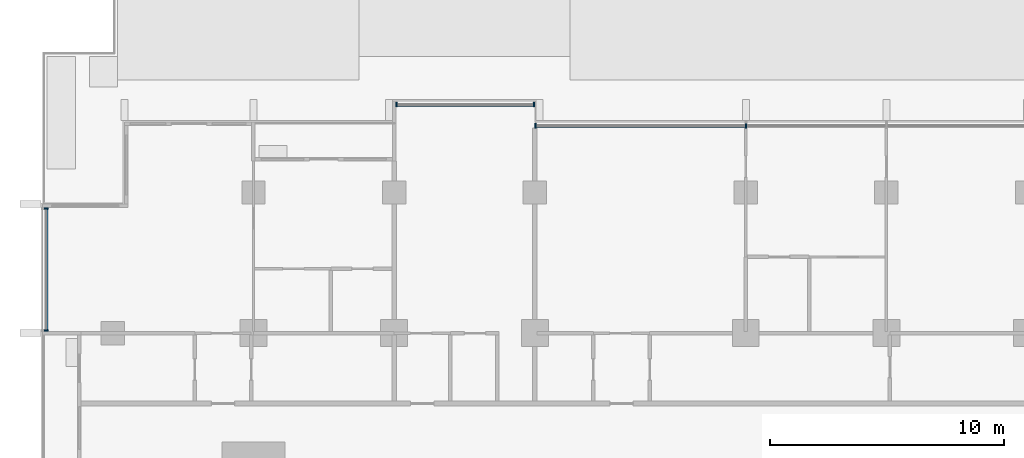
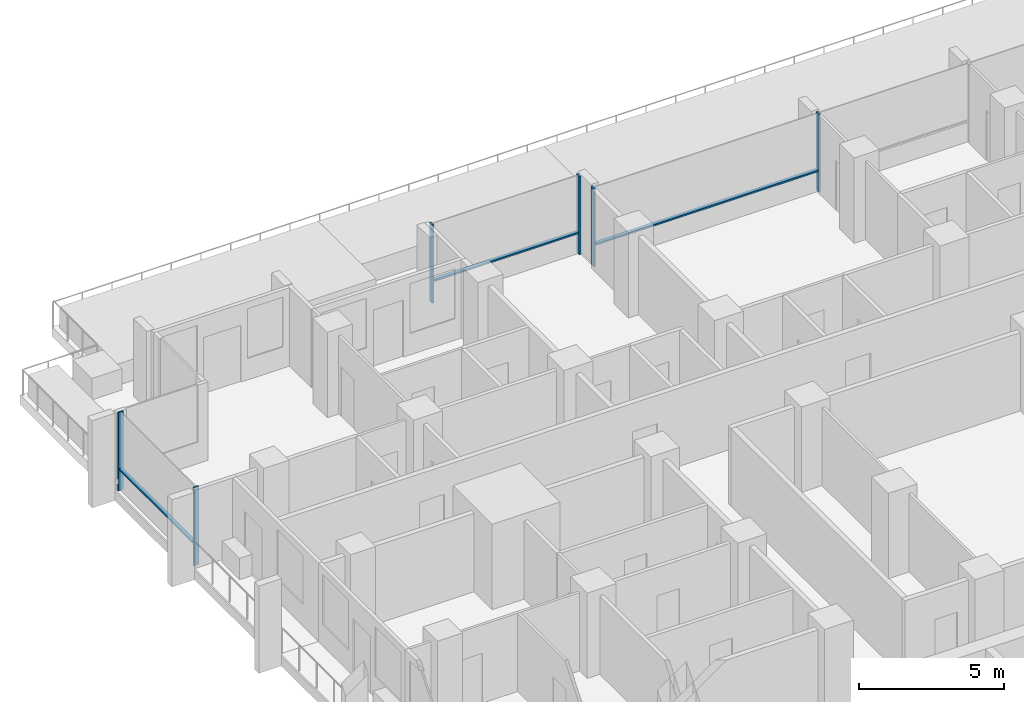
# One storey, part 4 of 19: 9 members, 3 elements without a shape of their own.
"""IFC4 building model written with IfcOpenShell, lengths in metres."""

from ifc_helpers import new_model, si_unit, direction, frame, origin, origin_2d, place, context, subcontext, project, spatial, rectangle, extrude, material, material_profile, profile_set, type_object, element, aggregate, save


model = new_model("IFC4")

# Units and contexts
model_context = context("Model", 3, precision=1e-05, world=origin(), true_north=direction((0.0, 1.0)))
body_context = subcontext(model_context, "Body", "Model", "MODEL_VIEW")
ifc_project = project(units=[si_unit("LENGTHUNIT", "METRE"), si_unit("AREAUNIT", "SQUARE_METRE"), si_unit("VOLUMEUNIT", "CUBIC_METRE"), si_unit("PLANEANGLEUNIT", "RADIAN"), si_unit("MASSUNIT", "GRAM", prefix="KILO")], contexts=[model_context])

# Site, building, storey
site_placement = place(None, origin())
site = spatial("IfcSite", under=ifc_project, at=site_placement, CompositionType="ELEMENT")
building_placement = place(site_placement, origin())
building = spatial("IfcBuilding", under=site, at=building_placement, Name="Finial Court Residences", CompositionType="ELEMENT")
storey_placement = place(building_placement, frame((0.0, 0.0, 81.10009765625)))
storey = spatial("IfcBuildingStorey", under=building, at=storey_placement, Name="L19", CompositionType="ELEMENT", Elevation=81.10009765625)

# Curtain wall, members
ifc_material = material(Name="Bronze anodised aluminium", Category="aluminium")
curtain_wall_type = type_object("IfcCurtainWallType", Name="Unitised curtain wall, lower and middle zones", PredefinedType="NOTDEFINED", material=ifc_material)
curtain_wall_1_placement = place(storey_placement, origin())
curtain_wall_1 = element("IfcCurtainWall", 1, at=curtain_wall_1_placement, inside=storey, type_object=curtain_wall_type, Name="E-L19-CW-N1", PredefinedType="NOTDEFINED")
ifc_material_profile_1 = material_profile(ifc_material, rectangle(XDim=0.199951171875, YDim=0.06494140625, at=origin_2d()), Name="CW1 mullion 65 x 200")
ifc_profile_set_1 = profile_set([ifc_material_profile_1], Name="Bronze anodised aluminium")
member_type_1 = type_object("IfcMemberType", Name="CW1 mullion 65 x 200", PredefinedType="MULLION", material=ifc_profile_set_1)
member_1_placement = place(storey_placement, frame((-10.392578125, 23.25, 0.0), z_axis=(0.0, 0.0, 1.0), x_axis=(0.0, 1.0, 0.0)))
member_1 = element("IfcMember", 2, at=member_1_placement, type_object=member_type_1, Name="CW1 mullion 1", PredefinedType="MULLION", context=body_context, shape_type="SweptSolid", body=[
    extrude(rectangle(XDim=0.199951171875, YDim=0.06494140625, at=origin_2d()), origin(), (0.0, 0.0, 1.0), 3.2998046875),
])
member_2_placement = place(storey_placement, frame((-4.532470703125, 23.25, 0.0), z_axis=(0.0, 0.0, 1.0), x_axis=(0.0, 1.0, 0.0)))
member_2 = element("IfcMember", 3, at=member_2_placement, type_object=member_type_1, Name="CW1 mullion 2", PredefinedType="MULLION", context=body_context, shape_type="SweptSolid", body=[
    extrude(rectangle(XDim=0.199951171875, YDim=0.06494140625, at=origin_2d()), origin(), (0.0, 0.0, 1.0), 3.2998046875),
])

curtain_wall_2_placement = place(storey_placement, origin())
curtain_wall_2 = element("IfcCurtainWall", 4, at=curtain_wall_2_placement, inside=storey, type_object=curtain_wall_type, Name="E-L19-CW-N2", PredefinedType="NOTDEFINED")
member_3_placement = place(storey_placement, frame((-4.467529296875, 22.35009765625, 0.0), z_axis=(0.0, 0.0, 1.0), x_axis=(0.0, 1.0, 0.0)))
member_3 = element("IfcMember", 5, at=member_3_placement, type_object=member_type_1, Name="CW1 mullion 1", PredefinedType="MULLION", context=body_context, shape_type="SweptSolid", body=[
    extrude(rectangle(XDim=0.199951171875, YDim=0.06494140625, at=origin_2d()), origin(), (0.0, 0.0, 1.0), 3.2998046875),
])
member_4_placement = place(storey_placement, frame((4.5, 22.35009765625, 0.0), z_axis=(0.0, 0.0, 1.0), x_axis=(0.0, 1.0, 0.0)))
member_4 = element("IfcMember", 6, at=member_4_placement, type_object=member_type_1, Name="CW1 mullion 2", PredefinedType="MULLION", context=body_context, shape_type="SweptSolid", body=[
    extrude(rectangle(XDim=0.199951171875, YDim=0.06494140625, at=origin_2d()), origin(), (0.0, 0.0, 1.0), 3.2998046875),
])

curtain_wall_3_placement = place(storey_placement, origin())
curtain_wall_3 = element("IfcCurtainWall", 7, at=curtain_wall_3_placement, inside=storey, type_object=curtain_wall_type, Name="E-L19-CW-W10", PredefinedType="NOTDEFINED")
member_5_placement = place(storey_placement, frame((-25.35009765625, 13.607421875, 0.0), z_axis=(0.0, 0.0, 1.0), x_axis=(-1.0, 0.0, 0.0)))
member_5 = element("IfcMember", 8, at=member_5_placement, type_object=member_type_1, Name="CW1 mullion 1", PredefinedType="MULLION", context=body_context, shape_type="SweptSolid", body=[
    extrude(rectangle(XDim=0.199951171875, YDim=0.06494140625, at=origin_2d()), origin(), (0.0, 0.0, 1.0), 3.2998046875),
])
member_6_placement = place(storey_placement, frame((-25.35009765625, 18.8173828125, 0.0), z_axis=(0.0, 0.0, 1.0), x_axis=(-1.0, 0.0, 0.0)))
member_6 = element("IfcMember", 9, at=member_6_placement, type_object=member_type_1, Name="CW1 mullion 2", PredefinedType="MULLION", context=body_context, shape_type="SweptSolid", body=[
    extrude(rectangle(XDim=0.199951171875, YDim=0.06494140625, at=origin_2d()), origin(), (0.0, 0.0, 1.0), 3.2998046875),
])

# Member
ifc_material_profile_2 = material_profile(ifc_material, rectangle(XDim=0.14990234375, YDim=0.06494140625, at=origin_2d()), Name="CW1 transom 65 x 150")
ifc_profile_set_2 = profile_set([ifc_material_profile_2], Name="Bronze anodised aluminium")
member_type_2 = type_object("IfcMemberType", Name="CW1 transom 65 x 150", PredefinedType="USERDEFINED", material=ifc_profile_set_2)
member_7_placement = place(storey_placement, frame((-10.360107421875, 23.25, 0.89990234375), z_axis=(1.0, 0.0, 0.0), x_axis=(0.0, 1.0, 0.0)))
member_7 = element("IfcMember", 10, at=member_7_placement, type_object=member_type_2, Name="CW1 transom 1.1", ObjectType="TRANSOM", PredefinedType="USERDEFINED", context=body_context, shape_type="SweptSolid", body=[
    extrude(rectangle(XDim=0.14990234375, YDim=0.06494140625, at=origin_2d()), origin(), (0.0, 0.0, 1.0), 5.795166015625),
])

aggregate(curtain_wall_1, [member_1, member_2, member_7])

member_8_placement = place(storey_placement, frame((-4.43505859375, 22.35009765625, 0.89990234375), z_axis=(1.0, 0.0, 0.0), x_axis=(0.0, 1.0, 0.0)))
member_8 = element("IfcMember", 11, at=member_8_placement, type_object=member_type_2, Name="CW1 transom 1.1", ObjectType="TRANSOM", PredefinedType="USERDEFINED", context=body_context, shape_type="SweptSolid", body=[
    extrude(rectangle(XDim=0.14990234375, YDim=0.06494140625, at=origin_2d()), origin(), (0.0, 0.0, 1.0), 8.902587890625),
])

aggregate(curtain_wall_2, [member_3, member_4, member_8])

member_9_placement = place(storey_placement, frame((-25.35009765625, 13.639892578125, 0.89990234375), z_axis=(0.0, 1.0, 0.0), x_axis=(-1.0, 0.0, 0.0)))
member_9 = element("IfcMember", 12, at=member_9_placement, type_object=member_type_2, Name="CW1 transom 1.1", ObjectType="TRANSOM", PredefinedType="USERDEFINED", context=body_context, shape_type="SweptSolid", body=[
    extrude(rectangle(XDim=0.14990234375, YDim=0.06494140625, at=origin_2d()), origin(), (0.0, 0.0, 1.0), 5.14501953125),
])

aggregate(curtain_wall_3, [member_5, member_6, member_9])

save(model, "model.ifc")
